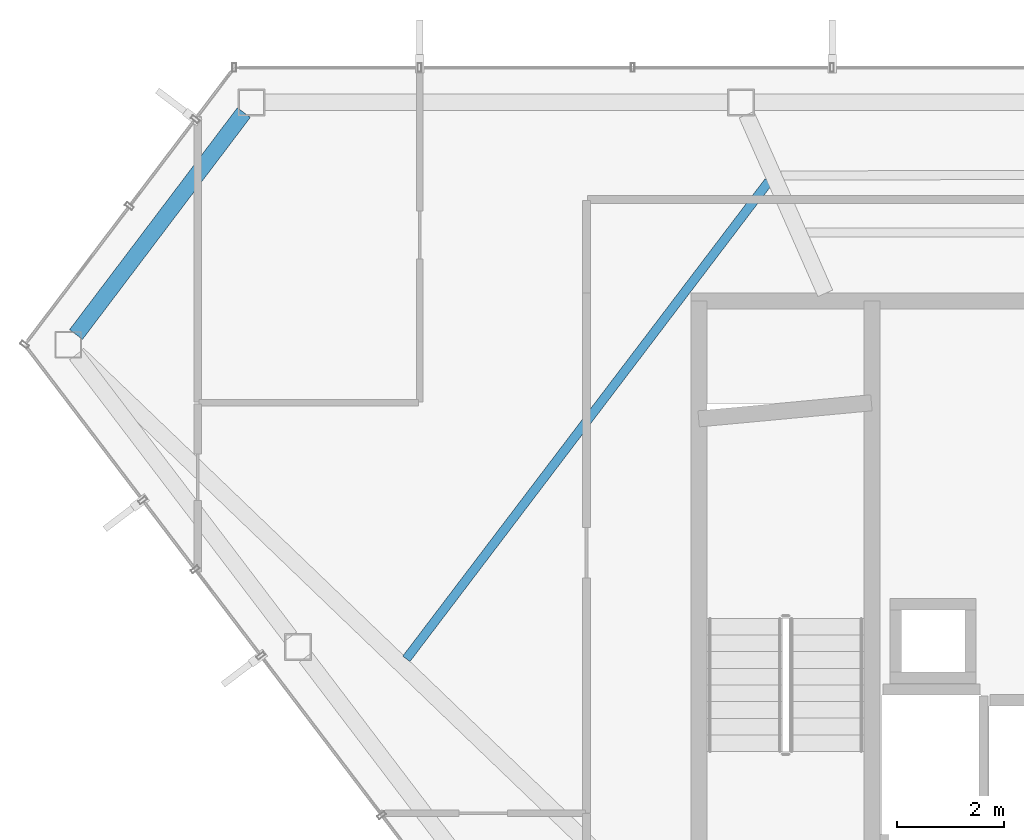
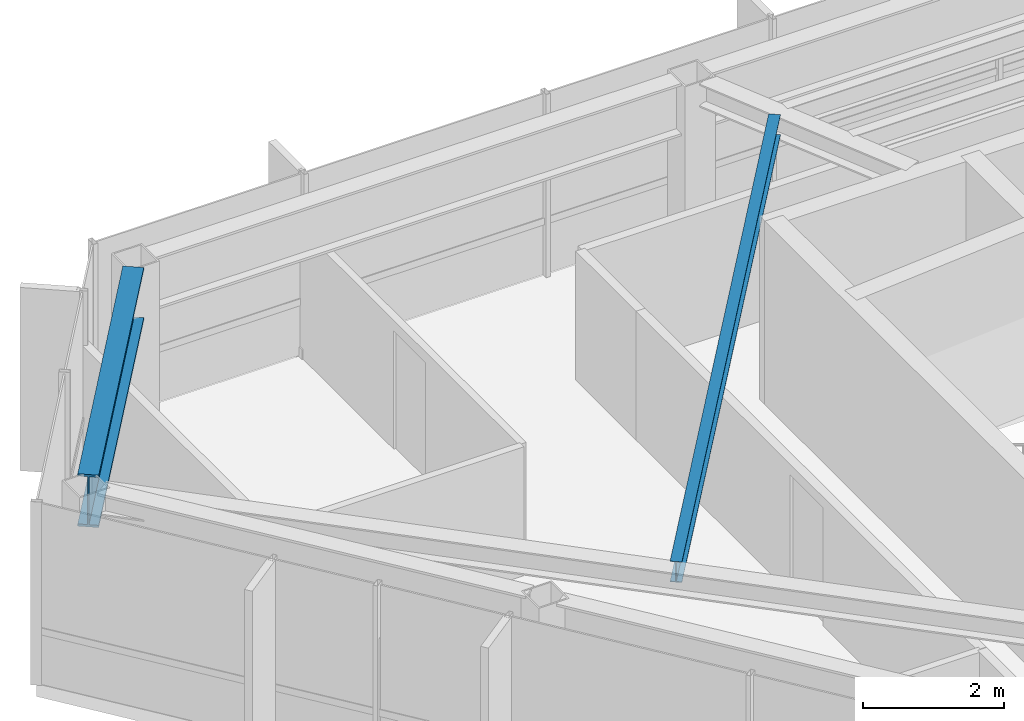
# One storey, part 9 of 24: 2 beams.
"""IFC4 building model written with IfcOpenShell, lengths in metres."""

from ifc_helpers import new_model, si_unit, direction, frame, origin, origin_2d, place, context, subcontext, project, spatial, i_section, extrude, material, material_profile, profile_set, type_object, element, save


model = new_model("IFC4")

# Units and contexts
model_context = context("Model", 3, precision=1e-05, world=origin(), true_north=direction((0.0, 1.0)))
body_context = subcontext(model_context, "Body", "Model", "MODEL_VIEW")
ifc_project = project(units=[si_unit("LENGTHUNIT", "METRE"), si_unit("AREAUNIT", "SQUARE_METRE"), si_unit("VOLUMEUNIT", "CUBIC_METRE"), si_unit("PLANEANGLEUNIT", "RADIAN"), si_unit("MASSUNIT", "GRAM", prefix="KILO")], contexts=[model_context])

# Site, building, storey
site_placement = place(None, origin())
site = spatial("IfcSite", under=ifc_project, at=site_placement, CompositionType="ELEMENT")
building_placement = place(site_placement, origin())
building = spatial("IfcBuilding", under=site, at=building_placement, Name="Zarrinselat Tower", CompositionType="ELEMENT")
storey_placement = place(building_placement, frame((0.0, 0.0, 272.0)))
storey = spatial("IfcBuildingStorey", under=building, at=storey_placement, Name="L69", CompositionType="ELEMENT", Elevation=272.0)

# Beams
ifc_material_1 = material(Name="Steel S460M", Category="steel")
ifc_material_profile_1 = material_profile(ifc_material_1, i_section(OverallWidth=0.302001953125, OverallDepth=0.909912109375, WebThickness=0.02099609375, FlangeThickness=0.0400390625, at=origin_2d()), Name="HEM 900")
ifc_profile_set_1 = profile_set([ifc_material_profile_1], Name="Steel S460M")
beam_type_1 = type_object("IfcBeamType", Name="BM-HEM900", PredefinedType="BEAM", material=ifc_profile_set_1)
beam_1_placement = place(storey_placement, frame((17.0341796875, 42.77197265625, 2.72509765625), z_axis=(0.603172535028, 0.797610740266, 0.0), x_axis=(-0.797610740266, 0.603172535028, 0.0)))
element("IfcBeam", 1, at=beam_1_placement, inside=storey, type_object=beam_type_1, Name="L69 Perimeter Spandrel Girder SP05", PredefinedType="BEAM", context=body_context, shape_type="SweptSolid", body=[
    extrude(i_section(OverallWidth=0.302001953125, OverallDepth=0.909912109375, WebThickness=0.02099609375, FlangeThickness=0.0400390625, at=origin_2d()), origin(), (0.0, 0.0, 1.0), 5.188232421875),
])
ifc_material_2 = material(Name="Steel S355J2", Category="steel")
ifc_material_profile_2 = material_profile(ifc_material_2, i_section(OverallWidth=0.169921875, OverallDepth=0.360107421875, WebThickness=0.008056640625, FlangeThickness=0.0126953125, at=origin_2d()), Name="IPE 360")
ifc_profile_set_2 = profile_set([ifc_material_profile_2], Name="Steel S355J2")
beam_type_2 = type_object("IfcBeamType", Name="BM-IPE360", PredefinedType="JOIST", material=ifc_profile_set_2)
beam_2_placement = place(storey_placement, frame((23.191162109375, 36.727294921875, 3.0), z_axis=(0.604678180667, 0.796469897627, 0.0), x_axis=(-0.796469897627, 0.604678180667, 0.0)))
element("IfcBeam", 2, at=beam_2_placement, inside=storey, type_object=beam_type_2, Name="L69 Composite Floor Joist 9-1", PredefinedType="JOIST", context=body_context, shape_type="SweptSolid", body=[
    extrude(i_section(OverallWidth=0.169921875, OverallDepth=0.360107421875, WebThickness=0.008056640625, FlangeThickness=0.0126953125, at=origin_2d()), origin(), (0.0, 0.0, 1.0), 11.172607421875),
])

save(model, "model.ifc")
